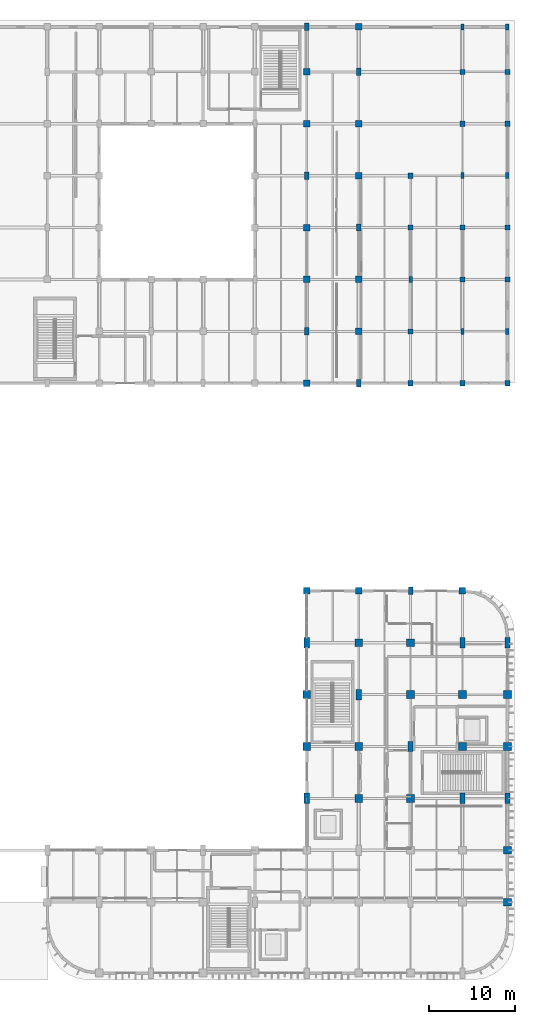
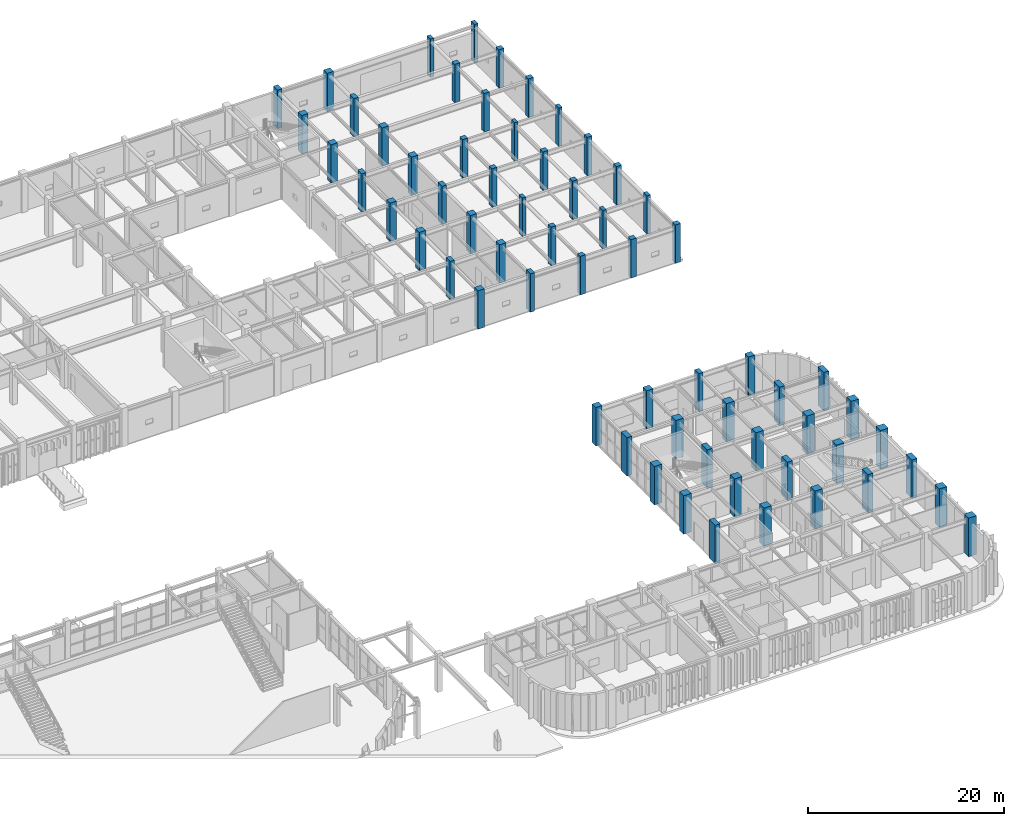
# One storey, part 2 of 76: 63 columns.
"""IFC4 building model written with IfcOpenShell, lengths in metres."""

from ifc_helpers import new_model, si_unit, direction, frame, origin, origin_2d, place, context, subcontext, project, spatial, rectangle, extrude, material, material_profile, profile_set, type_object, element, save


model = new_model("IFC4")

# Units and contexts
model_context = context("Model", 3, precision=1e-05, world=origin(), true_north=direction((0.0, 1.0)))
body_context = subcontext(model_context, "Body", "Model", "MODEL_VIEW")
ifc_project = project(units=[si_unit("LENGTHUNIT", "METRE"), si_unit("AREAUNIT", "SQUARE_METRE"), si_unit("VOLUMEUNIT", "CUBIC_METRE"), si_unit("PLANEANGLEUNIT", "RADIAN"), si_unit("MASSUNIT", "GRAM", prefix="KILO")], contexts=[model_context])

# Site, building, storey
site_placement = place(None, origin())
site = spatial("IfcSite", under=ifc_project, at=site_placement, CompositionType="ELEMENT")
building_placement = place(site_placement, origin())
building = spatial("IfcBuilding", under=site, at=building_placement, Name="Varnakota Square Police Headquarters", CompositionType="ELEMENT")
storey_placement = place(building_placement, origin())
storey = spatial("IfcBuildingStorey", under=building, at=storey_placement, Name="L00", CompositionType="ELEMENT", Elevation=0.0)

# Columns
ifc_material_1 = material(Name="Concrete M40", Category="concrete")
ifc_material_profile_1 = material_profile(ifc_material_1, rectangle(XDim=0.39990234375, YDim=0.699951171875, at=origin_2d()), Name="RC 400x700")
ifc_profile_set_1 = profile_set([ifc_material_profile_1], Name="Concrete M40")
column_type_1 = type_object("IfcColumnType", Name="COL-RC400x700", PredefinedType="COLUMN", material=ifc_profile_set_1)
for number, where, z_axis, x_axis, name in (
    (1, (150.0, 81.0, 0.0), (0.0, 0.0, 1.0), (1.0, 0.0, 0.0), "Column X1500-Y0810 L00"),
    (2, (156.0, 75.0, 0.0), (0.0, 0.0, 1.0), (1.0, 0.0, 0.0), "Column X1560-Y0750 L00"),
    (3, (156.0, 93.0, 0.0), (0.0, 0.0, 1.0), (1.0, 0.0, 0.0), "Column X1560-Y0930 L00"),
    (4, (156.0, 110.199951171875, 0.0), (0.0, 0.0, 1.0), (1.0, 0.0, 0.0), "Column X1560-Y1102 L00"),
    (5, (161.199951171875, 75.0, 0.0), (0.0, 0.0, 1.0), (1.0, 0.0, 0.0), "Column X1612-Y0750 L00"),
    (6, (161.199951171875, 93.0, 0.0), (0.0, 0.0, 1.0), (1.0, 0.0, 0.0), "Column X1612-Y0930 L00"),
    (7, (161.199951171875, 110.199951171875, 0.0), (0.0, 0.0, 1.0), (1.0, 0.0, 0.0), "Column X1612-Y1102 L00"),
):
    element("IfcColumn", number, at=place(storey_placement, frame(where, z_axis=z_axis, x_axis=x_axis)), inside=storey, type_object=column_type_1, Name=name, PredefinedType="COLUMN", context=body_context, shape_type="SweptSolid", body=[
        extrude(rectangle(XDim=0.39990234375, YDim=0.699951171875, at=origin_2d()), origin(), (0.0, 0.0, 1.0), 4.800048828125),
    ])
ifc_material_2 = material(Name="Concrete M50", Category="concrete")
ifc_material_profile_2 = material_profile(ifc_material_2, rectangle(XDim=0.5, YDim=0.85009765625, at=origin_2d()), Name="RC 500x850")
ifc_profile_set_2 = profile_set([ifc_material_profile_2], Name="Concrete M50")
column_type_2 = type_object("IfcColumnType", Name="COL-RC500x850", PredefinedType="COLUMN", material=ifc_profile_set_2)
for number, where, z_axis, x_axis, name in (
    (8, (138.0, 75.0, 0.0), (0.0, 0.0, 1.0), (1.0, 0.0, 0.0), "Column X1380-Y0750 L00"),
    (9, (138.0, 93.0, 0.0), (0.0, 0.0, 1.0), (1.0, 0.0, 0.0), "Column X1380-Y0930 L00"),
    (10, (138.0, 110.199951171875, 0.0), (0.0, 0.0, 1.0), (1.0, 0.0, 0.0), "Column X1380-Y1102 L00"),
    (11, (144.0, 69.0, 0.0), (0.0, 0.0, 1.0), (1.0, 0.0, 0.0), "Column X1440-Y0690 L00"),
    (12, (144.0, 87.0, 0.0), (0.0, 0.0, 1.0), (1.0, 0.0, 0.0), "Column X1440-Y0870 L00"),
    (13, (144.0, 105.0, 0.0), (0.0, 0.0, 1.0), (1.0, 0.0, 0.0), "Column X1440-Y1050 L00"),
    (14, (150.0, 45.0, 0.0), (0.0, 0.0, 1.0), (1.0, 0.0, 0.0), "Column X1500-Y0450 L00"),
):
    element("IfcColumn", number, at=place(storey_placement, frame(where, z_axis=z_axis, x_axis=x_axis)), inside=storey, type_object=column_type_2, Name=name, PredefinedType="COLUMN", context=body_context, shape_type="SweptSolid", body=[
        extrude(rectangle(XDim=0.5, YDim=0.85009765625, at=origin_2d()), origin(), (0.0, 0.0, 1.0), 4.800048828125),
    ])
ifc_material_profile_3 = material_profile(ifc_material_1, rectangle(XDim=0.60009765625, YDim=0.60009765625, at=origin_2d()), Name="RC 600x600")
ifc_profile_set_3 = profile_set([ifc_material_profile_3], Name="Concrete M40")
column_type_3 = type_object("IfcColumnType", Name="COL-RC600", PredefinedType="COLUMN", material=ifc_profile_set_3)
for number, where, z_axis, x_axis, name in (
    (15, (150.0, 69.0, 0.0), (0.0, 0.0, 1.0), (1.0, 0.0, 0.0), "Column X1500-Y0690 L00"),
    (16, (150.0, 75.0, 0.0), (0.0, 0.0, 1.0), (1.0, 0.0, 0.0), "Column X1500-Y0750 L00"),
    (17, (150.0, 87.0, 0.0), (0.0, 0.0, 1.0), (1.0, 0.0, 0.0), "Column X1500-Y0870 L00"),
    (18, (150.0, 93.0, 0.0), (0.0, 0.0, 1.0), (1.0, 0.0, 0.0), "Column X1500-Y0930 L00"),
    (19, (156.0, 69.0, 0.0), (0.0, 0.0, 1.0), (1.0, 0.0, 0.0), "Column X1560-Y0690 L00"),
    (20, (156.0, 81.0, 0.0), (0.0, 0.0, 1.0), (1.0, 0.0, 0.0), "Column X1560-Y0810 L00"),
    (21, (156.0, 87.0, 0.0), (0.0, 0.0, 1.0), (1.0, 0.0, 0.0), "Column X1560-Y0870 L00"),
    (22, (156.0, 99.0, 0.0), (0.0, 0.0, 1.0), (1.0, 0.0, 0.0), "Column X1560-Y0990 L00"),
    (23, (156.0, 105.0, 0.0), (0.0, 0.0, 1.0), (1.0, 0.0, 0.0), "Column X1560-Y1050 L00"),
    (24, (161.199951171875, 69.0, 0.0), (0.0, 0.0, 1.0), (1.0, 0.0, 0.0), "Column X1612-Y0690 L00"),
    (25, (161.199951171875, 81.0, 0.0), (0.0, 0.0, 1.0), (1.0, 0.0, 0.0), "Column X1612-Y0810 L00"),
    (26, (161.199951171875, 87.0, 0.0), (0.0, 0.0, 1.0), (1.0, 0.0, 0.0), "Column X1612-Y0870 L00"),
    (27, (161.199951171875, 99.0, 0.0), (0.0, 0.0, 1.0), (1.0, 0.0, 0.0), "Column X1612-Y0990 L00"),
    (28, (161.199951171875, 105.0, 0.0), (0.0, 0.0, 1.0), (1.0, 0.0, 0.0), "Column X1612-Y1050 L00"),
):
    element("IfcColumn", number, at=place(storey_placement, frame(where, z_axis=z_axis, x_axis=x_axis)), inside=storey, type_object=column_type_3, Name=name, PredefinedType="COLUMN", context=body_context, shape_type="SweptSolid", body=[
        extrude(rectangle(XDim=0.60009765625, YDim=0.60009765625, at=origin_2d()), origin(), (0.0, 0.0, 1.0), 4.800048828125),
    ])
ifc_material_profile_4 = material_profile(ifc_material_2, rectangle(XDim=0.60009765625, YDim=1.199951171875, at=origin_2d()), Name="RC 600x1200")
ifc_profile_set_4 = profile_set([ifc_material_profile_4], Name="Concrete M50")
column_type_4 = type_object("IfcColumnType", Name="COL-RC600x1200", PredefinedType="COLUMN", material=ifc_profile_set_4)
for number, where, z_axis, x_axis, name in (
    (29, (138.0, 21.0, 0.0), (0.0, 0.0, 1.0), (1.0, 0.0, 0.0), "Column X1380-Y0210 L00"),
    (30, (138.0, 39.0, 0.0), (0.0, 0.0, 1.0), (1.0, 0.0, 0.0), "Column X1380-Y0390 L00"),
    (31, (144.0, 33.0, 0.0), (0.0, 0.0, 1.0), (1.0, 0.0, 0.0), "Column X1440-Y0330 L00"),
    (32, (150.0, 27.0, 0.0), (0.0, 0.0, 1.0), (1.0, 0.0, 0.0), "Column X1500-Y0270 L00"),
    (33, (156.0, 21.0, 0.0), (0.0, 0.0, 1.0), (1.0, 0.0, 0.0), "Column X1560-Y0210 L00"),
    (34, (156.0, 39.0, 0.0), (0.0, 0.0, 1.0), (1.0, 0.0, 0.0), "Column X1560-Y0390 L00"),
    (35, (161.199951171875, 21.0, 0.0), (0.0, 0.0, 1.0), (1.0, 0.0, 0.0), "Column X1612-Y0210 L00"),
    (36, (161.199951171875, 39.0, 0.0), (0.0, 0.0, 1.0), (1.0, 0.0, 0.0), "Column X1612-Y0390 L00"),
):
    element("IfcColumn", number, at=place(storey_placement, frame(where, z_axis=z_axis, x_axis=x_axis)), inside=storey, type_object=column_type_4, Name=name, PredefinedType="COLUMN", context=body_context, shape_type="SweptSolid", body=[
        extrude(rectangle(XDim=0.60009765625, YDim=1.199951171875, at=origin_2d()), origin(), (0.0, 0.0, 1.0), 4.800048828125),
    ])
ifc_material_profile_5 = material_profile(ifc_material_2, rectangle(XDim=0.75, YDim=0.75, at=origin_2d()), Name="RC 750x750")
ifc_profile_set_5 = profile_set([ifc_material_profile_5], Name="Concrete M50")
column_type_5 = type_object("IfcColumnType", Name="COL-RC750", PredefinedType="COLUMN", material=ifc_profile_set_5)
for number, where, z_axis, x_axis, name in (
    (37, (138.0, 45.0, 0.0), (0.0, 0.0, 1.0), (1.0, 0.0, 0.0), "Column X1380-Y0450 L00"),
    (38, (138.0, 69.0, 0.0), (0.0, 0.0, 1.0), (1.0, 0.0, 0.0), "Column X1380-Y0690 L00"),
    (39, (138.0, 81.0, 0.0), (0.0, 0.0, 1.0), (1.0, 0.0, 0.0), "Column X1380-Y0810 L00"),
    (40, (138.0, 87.0, 0.0), (0.0, 0.0, 1.0), (1.0, 0.0, 0.0), "Column X1380-Y0870 L00"),
    (41, (138.0, 99.0, 0.0), (0.0, 0.0, 1.0), (1.0, 0.0, 0.0), "Column X1380-Y0990 L00"),
    (42, (138.0, 105.0, 0.0), (0.0, 0.0, 1.0), (1.0, 0.0, 0.0), "Column X1380-Y1050 L00"),
    (43, (144.0, 45.0, 0.0), (0.0, 0.0, 1.0), (1.0, 0.0, 0.0), "Column X1440-Y0450 L00"),
    (44, (144.0, 75.0, 0.0), (0.0, 0.0, 1.0), (1.0, 0.0, 0.0), "Column X1440-Y0750 L00"),
    (45, (144.0, 81.0, 0.0), (0.0, 0.0, 1.0), (1.0, 0.0, 0.0), "Column X1440-Y0810 L00"),
    (46, (144.0, 93.0, 0.0), (0.0, 0.0, 1.0), (1.0, 0.0, 0.0), "Column X1440-Y0930 L00"),
    (47, (144.0, 99.0, 0.0), (0.0, 0.0, 1.0), (1.0, 0.0, 0.0), "Column X1440-Y0990 L00"),
    (48, (144.0, 110.199951171875, 0.0), (0.0, 0.0, 1.0), (1.0, 0.0, 0.0), "Column X1440-Y1102 L00"),
    (49, (156.0, 45.0, 0.0), (0.0, 0.0, 1.0), (1.0, 0.0, 0.0), "Column X1560-Y0450 L00"),
):
    element("IfcColumn", number, at=place(storey_placement, frame(where, z_axis=z_axis, x_axis=x_axis)), inside=storey, type_object=column_type_5, Name=name, PredefinedType="COLUMN", context=body_context, shape_type="SweptSolid", body=[
        extrude(rectangle(XDim=0.75, YDim=0.75, at=origin_2d()), origin(), (0.0, 0.0, 1.0), 4.800048828125),
    ])
ifc_material_profile_6 = material_profile(ifc_material_2, rectangle(XDim=0.89990234375, YDim=0.89990234375, at=origin_2d()), Name="RC 900x900")
ifc_profile_set_6 = profile_set([ifc_material_profile_6], Name="Concrete M50")
column_type_6 = type_object("IfcColumnType", Name="COL-RC900", PredefinedType="COLUMN", material=ifc_profile_set_6)
for number, where, z_axis, x_axis, name in (
    (50, (138.0, 27.0, 0.0), (0.0, 0.0, 1.0), (1.0, 0.0, 0.0), "Column X1380-Y0270 L00"),
    (51, (138.0, 33.0, 0.0), (0.0, 0.0, 1.0), (1.0, 0.0, 0.0), "Column X1380-Y0330 L00"),
    (52, (144.0, 21.0, 0.0), (0.0, 0.0, 1.0), (1.0, 0.0, 0.0), "Column X1440-Y0210 L00"),
    (53, (144.0, 27.0, 0.0), (0.0, 0.0, 1.0), (1.0, 0.0, 0.0), "Column X1440-Y0270 L00"),
    (54, (144.0, 39.0, 0.0), (0.0, 0.0, 1.0), (1.0, 0.0, 0.0), "Column X1440-Y0390 L00"),
    (55, (150.0, 21.0, 0.0), (0.0, 0.0, 1.0), (1.0, 0.0, 0.0), "Column X1500-Y0210 L00"),
    (56, (150.0, 33.0, 0.0), (0.0, 0.0, 1.0), (1.0, 0.0, 0.0), "Column X1500-Y0330 L00"),
    (57, (150.0, 39.0, 0.0), (0.0, 0.0, 1.0), (1.0, 0.0, 0.0), "Column X1500-Y0390 L00"),
    (58, (156.0, 27.0, 0.0), (0.0, 0.0, 1.0), (1.0, 0.0, 0.0), "Column X1560-Y0270 L00"),
    (59, (156.0, 33.0, 0.0), (0.0, 0.0, 1.0), (1.0, 0.0, 0.0), "Column X1560-Y0330 L00"),
    (60, (161.199951171875, 9.0, 0.0), (0.0, 0.0, 1.0), (1.0, 0.0, 0.0), "Column X1612-Y0090 L00"),
    (61, (161.199951171875, 15.0, 0.0), (0.0, 0.0, 1.0), (1.0, 0.0, 0.0), "Column X1612-Y0150 L00"),
    (62, (161.199951171875, 27.0, 0.0), (0.0, 0.0, 1.0), (1.0, 0.0, 0.0), "Column X1612-Y0270 L00"),
    (63, (161.199951171875, 33.0, 0.0), (0.0, 0.0, 1.0), (1.0, 0.0, 0.0), "Column X1612-Y0330 L00"),
):
    element("IfcColumn", number, at=place(storey_placement, frame(where, z_axis=z_axis, x_axis=x_axis)), inside=storey, type_object=column_type_6, Name=name, PredefinedType="COLUMN", context=body_context, shape_type="SweptSolid", body=[
        extrude(rectangle(XDim=0.89990234375, YDim=0.89990234375, at=origin_2d()), origin(), (0.0, 0.0, 1.0), 4.800048828125),
    ])

save(model, "model.ifc")
